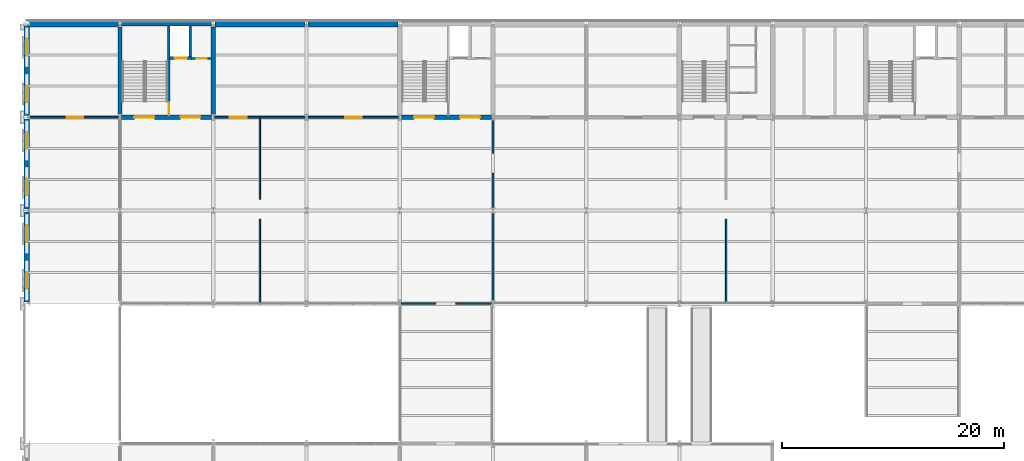
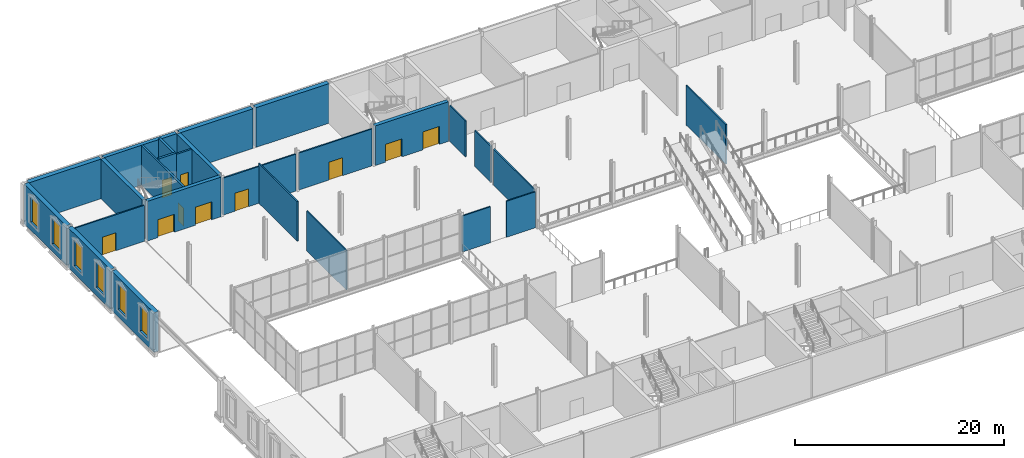
# One storey, part 37 of 61: 27 walls, 10 doors, 6 windows, 16 openings.
"""IFC4 building model written with IfcOpenShell, lengths in metres."""

from ifc_helpers import new_model, si_unit, direction, frame, frame_2d, origin, place, context, subcontext, project, spatial, rectangle, extrude, material, layer, layer_set, type_object, element, fill, save


model = new_model("IFC4")

# Units and contexts
model_context = context("Model", 3, precision=1e-05, world=origin(), true_north=direction((0.0, 1.0)))
body_context = subcontext(model_context, "Body", "Model", "MODEL_VIEW")
ifc_project = project(units=[si_unit("LENGTHUNIT", "METRE"), si_unit("AREAUNIT", "SQUARE_METRE"), si_unit("VOLUMEUNIT", "CUBIC_METRE"), si_unit("PLANEANGLEUNIT", "RADIAN"), si_unit("MASSUNIT", "GRAM", prefix="KILO")], contexts=[model_context])

# Site, building, storey
site_placement = place(None, origin())
site = spatial("IfcSite", under=ifc_project, at=site_placement, CompositionType="ELEMENT")
building_placement = place(site_placement, origin())
building = spatial("IfcBuilding", under=site, at=building_placement, Name="Galleria Vessillo Department Store", CompositionType="ELEMENT")
storey_placement = place(building_placement, frame((0.0, 0.0, 11.39990234375)))
storey = spatial("IfcBuildingStorey", under=building, at=storey_placement, Name="L02", CompositionType="ELEMENT", Elevation=11.39990234375)

# Wall, opening, door
ifc_material_1 = material(Name="Solid clay block masonry", Category="masonry")
ifc_layer_1 = layer(ifc_material_1, 0.25)
ifc_layer_set_1 = layer_set([ifc_layer_1], Name="Solid clay block masonry")
wall_type_1 = type_object("IfcWallType", Name="Lift shaft wall 250 mm", PredefinedType="SOLIDWALL", material=ifc_layer_set_1)
wall_1_placement = place(storey_placement, frame((12.89990234375, 59.925048828125, 0.0), z_axis=(0.0, 0.0, 1.0), x_axis=(1.0, 0.0, 0.0)))
wall_1 = element("IfcWall", 1, at=wall_1_placement, inside=storey, type_object=wall_type_1, Name="Lift shaft wall LP2 landing side L02", PredefinedType="SOLIDWALL", context=body_context, shape_type="SweptSolid", body=[
    extrude(rectangle(XDim=1.9501953125, YDim=0.25, at=frame_2d((0.97509765625, 0.0))), origin(), (0.0, 0.0, 1.0), 4.800048828125),
])
opening_1_placement = place(wall_1_placement, frame((0.425048828125, 0.0, 0.0)))
opening_1 = element("IfcOpeningElement", 2, at=opening_1_placement, cuts=wall_1, Name="Opening LD013", PredefinedType="OPENING", context=body_context, shape_type="SweptSolid", body=[
    extrude(rectangle(XDim=1.10009765625, YDim=2.10009765625, at=frame_2d((0.550048828125, 1.050048828125))), frame((0.0, 0.135009765625, 0.0), z_axis=(0.0, -1.0, 0.0), x_axis=(1.0, 0.0, 0.0)), (0.0, 0.0, 1.0), 0.27001953125),
])
ifc_material_2 = material(Name="Stainless steel lift door panel", Category="steel")
door_type_1 = type_object("IfcDoorType", Name="Lift landing door LD110 sliding 1100 x 2100", OperationType="SLIDING_TO_LEFT", PredefinedType="DOOR", material=ifc_material_2)
door_1_placement = place(opening_1_placement, frame((1.10009765625, 0.0, 0.0), z_axis=(0.0, 0.0, 1.0), x_axis=(-1.0, 0.0, 0.0)))
door_1 = element("IfcDoor", 3, at=door_1_placement, inside=storey, type_object=door_type_1, Name="Lift landing door LP2 L02", OperationType="SLIDING_TO_RIGHT", OverallHeight=2.10009765625, OverallWidth=1.10009765625, PredefinedType="DOOR", context=body_context, shape_type="SweptSolid", body=[
    extrude(rectangle(XDim=1.10009765625, YDim=2.10009765625, at=frame_2d((0.550048828125, 1.050048828125))), frame((0.0, 0.02490234375, 0.0), z_axis=(0.0, -1.0, 0.0), x_axis=(1.0, 0.0, 0.0)), (0.0, 0.0, 1.0), 0.050048828125),
])
fill(opening_1, door_1)

# Wall
wall_2_placement = place(storey_placement, frame((14.72509765625, 62.800048828125, 0.0), z_axis=(0.0, 0.0, 1.0), x_axis=(0.0, -1.0, 0.0)))
element("IfcWall", 4, at=wall_2_placement, inside=storey, type_object=wall_type_1, Name="Lift shaft wall LP2 L02", PredefinedType="SOLIDWALL", context=body_context, shape_type="SweptSolid", body=[
    extrude(rectangle(XDim=2.75, YDim=0.25, at=frame_2d((1.375, 0.0))), origin(), (0.0, 0.0, 1.0), 4.800048828125),
])

# Wall, openings, windows
ifc_material_3 = material(Name="Reinforced masonry, limestone units 80 MPa", Category="masonry")
ifc_layer_2 = layer(ifc_material_3, 0.5)
ifc_layer_set_2 = layer_set([ifc_layer_2], Name="Reinforced masonry, limestone units 80 MPa")
wall_type_2 = type_object("IfcWallType", Name="Load-bearing limestone-faced wall 500 mm", PredefinedType="STANDARD", material=ifc_layer_set_2)
wall_3_placement = place(storey_placement, frame((0.0, 37.949951171875, 0.0), z_axis=(0.0, 0.0, 1.0), x_axis=(0.0, 1.0, 0.0)))
wall_3 = element("IfcWall", 5, at=wall_3_placement, inside=storey, type_object=wall_type_2, Name="Load-bearing limestone-faced wall 500 mm SW-N-L02-01", PredefinedType="STANDARD", context=body_context, shape_type="SweptSolid", body=[
    extrude(rectangle(XDim=8.10009765625, YDim=0.5, at=frame_2d((4.050048828125, 0.0))), origin(), (0.0, 0.0, 1.0), 4.650146484375),
])
opening_2_placement = place(wall_3_placement, frame((1.199951171875, 0.0, 0.89990234375)))
opening_2 = element("IfcOpeningElement", 6, at=opening_2_placement, cuts=wall_3, Name="Opening W007", PredefinedType="OPENING", context=body_context, shape_type="SweptSolid", body=[
    extrude(rectangle(XDim=1.5, YDim=3.0, at=frame_2d((0.75, 1.5))), frame((0.0, 0.260009765625, 0.0), z_axis=(0.0, -1.0, 0.0), x_axis=(1.0, 0.0, 0.0)), (0.0, 0.0, 1.0), 0.52001953125),
])
opening_3_placement = place(wall_3_placement, frame((5.400146484375, 0.0, 0.89990234375)))
opening_3 = element("IfcOpeningElement", 7, at=opening_3_placement, cuts=wall_3, Name="Opening W008", PredefinedType="OPENING", context=body_context, shape_type="SweptSolid", body=[
    extrude(rectangle(XDim=1.5, YDim=3.0, at=frame_2d((0.75, 1.5))), frame((0.0, 0.260009765625, 0.0), z_axis=(0.0, -1.0, 0.0), x_axis=(1.0, 0.0, 0.0)), (0.0, 0.0, 1.0), 0.52001953125),
])
ifc_material_4 = material(Name="Aluminium frame with laminated glass 44.2", Category="aluminium")
window_type = type_object("IfcWindowType", Name="Piano nobile window 1500 x 3000", PartitioningType="SINGLE_PANEL", PredefinedType="WINDOW", material=ifc_material_4)
window_1_placement = place(opening_2_placement, origin())
window_1 = element("IfcWindow", 8, at=window_1_placement, inside=storey, type_object=window_type, Name="E-WIN-SW-N-L02-01-007", OverallHeight=3.0, OverallWidth=1.5, PartitioningType="SINGLE_PANEL", PredefinedType="WINDOW", context=body_context, shape_type="SweptSolid", body=[
    extrude(rectangle(XDim=1.5, YDim=3.0, at=frame_2d((0.75, 1.5))), frame((0.0, 0.030029296875, 0.0), z_axis=(0.0, -1.0, 0.0), x_axis=(1.0, 0.0, 0.0)), (0.0, 0.0, 1.0), 0.06005859375),
])
fill(opening_2, window_1)
window_2_placement = place(opening_3_placement, origin())
window_2 = element("IfcWindow", 9, at=window_2_placement, inside=storey, type_object=window_type, Name="E-WIN-SW-N-L02-01-008", OverallHeight=3.0, OverallWidth=1.5, PartitioningType="SINGLE_PANEL", PredefinedType="WINDOW", context=body_context, shape_type="SweptSolid", body=[
    extrude(rectangle(XDim=1.5, YDim=3.0, at=frame_2d((0.75, 1.5))), frame((0.0, 0.030029296875, 0.0), z_axis=(0.0, -1.0, 0.0), x_axis=(1.0, 0.0, 0.0)), (0.0, 0.0, 1.0), 0.06005859375),
])
fill(opening_3, window_2)

wall_4_placement = place(storey_placement, frame((0.0, 46.349853515625, 0.0), z_axis=(0.0, 0.0, 1.0), x_axis=(0.0, 1.0, 0.0)))
wall_4 = element("IfcWall", 10, at=wall_4_placement, inside=storey, type_object=wall_type_2, Name="Load-bearing limestone-faced wall 500 mm SW-N-L02-02", PredefinedType="STANDARD", context=body_context, shape_type="SweptSolid", body=[
    extrude(rectangle(XDim=8.100341796875, YDim=0.5, at=frame_2d((4.05029296875, 0.0))), origin(), (0.0, 0.0, 1.0), 4.650146484375),
])
opening_4_placement = place(wall_4_placement, frame((1.2001953125, 0.0, 0.89990234375)))
opening_4 = element("IfcOpeningElement", 11, at=opening_4_placement, cuts=wall_4, Name="Opening W009", PredefinedType="OPENING", context=body_context, shape_type="SweptSolid", body=[
    extrude(rectangle(XDim=1.5, YDim=3.0, at=frame_2d((0.75, 1.5))), frame((0.0, 0.260009765625, 0.0), z_axis=(0.0, -1.0, 0.0), x_axis=(1.0, 0.0, 0.0)), (0.0, 0.0, 1.0), 0.52001953125),
])
opening_5_placement = place(wall_4_placement, frame((5.400146484375, 0.0, 0.89990234375)))
opening_5 = element("IfcOpeningElement", 12, at=opening_5_placement, cuts=wall_4, Name="Opening W010", PredefinedType="OPENING", context=body_context, shape_type="SweptSolid", body=[
    extrude(rectangle(XDim=1.5, YDim=3.0, at=frame_2d((0.75, 1.5))), frame((0.0, 0.260009765625, 0.0), z_axis=(0.0, -1.0, 0.0), x_axis=(1.0, 0.0, 0.0)), (0.0, 0.0, 1.0), 0.52001953125),
])
window_3_placement = place(opening_4_placement, origin())
window_3 = element("IfcWindow", 13, at=window_3_placement, inside=storey, type_object=window_type, Name="E-WIN-SW-N-L02-02-009", OverallHeight=3.0, OverallWidth=1.5, PartitioningType="SINGLE_PANEL", PredefinedType="WINDOW", context=body_context, shape_type="SweptSolid", body=[
    extrude(rectangle(XDim=1.5, YDim=3.0, at=frame_2d((0.75, 1.5))), frame((0.0, 0.030029296875, 0.0), z_axis=(0.0, -1.0, 0.0), x_axis=(1.0, 0.0, 0.0)), (0.0, 0.0, 1.0), 0.06005859375),
])
fill(opening_4, window_3)
window_4_placement = place(opening_5_placement, origin())
window_4 = element("IfcWindow", 14, at=window_4_placement, inside=storey, type_object=window_type, Name="E-WIN-SW-N-L02-02-010", OverallHeight=3.0, OverallWidth=1.5, PartitioningType="SINGLE_PANEL", PredefinedType="WINDOW", context=body_context, shape_type="SweptSolid", body=[
    extrude(rectangle(XDim=1.5, YDim=3.0, at=frame_2d((0.75, 1.5))), frame((0.0, 0.030029296875, 0.0), z_axis=(0.0, -1.0, 0.0), x_axis=(1.0, 0.0, 0.0)), (0.0, 0.0, 1.0), 0.06005859375),
])
fill(opening_5, window_4)

wall_5_placement = place(storey_placement, frame((0.0, 54.75, 0.0), z_axis=(0.0, 0.0, 1.0), x_axis=(0.0, 1.0, 0.0)))
wall_5 = element("IfcWall", 15, at=wall_5_placement, inside=storey, type_object=wall_type_2, Name="Load-bearing limestone-faced wall 500 mm SW-N-L02-03", PredefinedType="STANDARD", context=body_context, shape_type="SweptSolid", body=[
    extrude(rectangle(XDim=8.10009765625, YDim=0.5, at=frame_2d((4.050048828125, 0.0))), origin(), (0.0, 0.0, 1.0), 4.650146484375),
])
opening_6_placement = place(wall_5_placement, frame((1.199951171875, 0.0, 0.89990234375)))
opening_6 = element("IfcOpeningElement", 16, at=opening_6_placement, cuts=wall_5, Name="Opening W011", PredefinedType="OPENING", context=body_context, shape_type="SweptSolid", body=[
    extrude(rectangle(XDim=1.5, YDim=3.0, at=frame_2d((0.75, 1.5))), frame((0.0, 0.260009765625, 0.0), z_axis=(0.0, -1.0, 0.0), x_axis=(1.0, 0.0, 0.0)), (0.0, 0.0, 1.0), 0.52001953125),
])
opening_7_placement = place(wall_5_placement, frame((5.39990234375, 0.0, 0.89990234375)))
opening_7 = element("IfcOpeningElement", 17, at=opening_7_placement, cuts=wall_5, Name="Opening W012", PredefinedType="OPENING", context=body_context, shape_type="SweptSolid", body=[
    extrude(rectangle(XDim=1.5, YDim=3.0, at=frame_2d((0.75, 1.5))), frame((0.0, 0.260009765625, 0.0), z_axis=(0.0, -1.0, 0.0), x_axis=(1.0, 0.0, 0.0)), (0.0, 0.0, 1.0), 0.52001953125),
])
window_5_placement = place(opening_6_placement, origin())
window_5 = element("IfcWindow", 18, at=window_5_placement, inside=storey, type_object=window_type, Name="E-WIN-SW-N-L02-03-011", OverallHeight=3.0, OverallWidth=1.5, PartitioningType="SINGLE_PANEL", PredefinedType="WINDOW", context=body_context, shape_type="SweptSolid", body=[
    extrude(rectangle(XDim=1.5, YDim=3.0, at=frame_2d((0.75, 1.5))), frame((0.0, 0.030029296875, 0.0), z_axis=(0.0, -1.0, 0.0), x_axis=(1.0, 0.0, 0.0)), (0.0, 0.0, 1.0), 0.06005859375),
])
fill(opening_6, window_5)
window_6_placement = place(opening_7_placement, origin())
window_6 = element("IfcWindow", 19, at=window_6_placement, inside=storey, type_object=window_type, Name="E-WIN-SW-N-L02-03-012", OverallHeight=3.0, OverallWidth=1.5, PartitioningType="SINGLE_PANEL", PredefinedType="WINDOW", context=body_context, shape_type="SweptSolid", body=[
    extrude(rectangle(XDim=1.5, YDim=3.0, at=frame_2d((0.75, 1.5))), frame((0.0, 0.030029296875, 0.0), z_axis=(0.0, -1.0, 0.0), x_axis=(1.0, 0.0, 0.0)), (0.0, 0.0, 1.0), 0.06005859375),
])
fill(opening_7, window_6)

# Wall, openings, doors
ifc_material_5 = material(Name="Concrete C32/40 reinforced", Category="concrete")
ifc_layer_3 = layer(ifc_material_5, 0.39990234375)
ifc_layer_set_3 = layer_set([ifc_layer_3], Name="Concrete C32/40 reinforced")
wall_type_3 = type_object("IfcWallType", Name="Reinforced concrete core wall 400 mm", PredefinedType="SHEAR", material=ifc_layer_set_3)
wall_6_placement = place(storey_placement, frame((8.5498046875, 54.60009765625, 0.0), z_axis=(0.0, 0.0, 1.0), x_axis=(1.0, 0.0, 0.0)))
wall_6 = element("IfcWall", 20, at=wall_6_placement, inside=storey, type_object=wall_type_3, Name="S-CW-PC-NW-INTERIOR-L02", PredefinedType="SHEAR", context=body_context, shape_type="SweptSolid", body=[
    extrude(rectangle(XDim=8.100341796875, YDim=0.39990234375, at=frame_2d((4.05029296875, 0.0))), origin(), (0.0, 0.0, 1.0), 4.650146484375),
])
opening_8_placement = place(wall_6_placement, frame((1.150146484375, 0.0, 0.0)))
opening_8 = element("IfcOpeningElement", 21, at=opening_8_placement, cuts=wall_6, Name="Opening D5051", PredefinedType="OPENING", context=body_context, shape_type="SweptSolid", body=[
    extrude(rectangle(XDim=1.800048828125, YDim=2.10009765625, at=frame_2d((0.89990234375, 1.050048828125))), frame((0.0, 0.2099609375, 0.0), z_axis=(0.0, -1.0, 0.0), x_axis=(1.0, 0.0, 0.0)), (0.0, 0.0, 1.0), 0.419921875),
])
opening_9_placement = place(wall_6_placement, frame((5.300048828125, 0.0, 0.0)))
opening_9 = element("IfcOpeningElement", 22, at=opening_9_placement, cuts=wall_6, Name="Opening D5052", PredefinedType="OPENING", context=body_context, shape_type="SweptSolid", body=[
    extrude(rectangle(XDim=1.800048828125, YDim=2.10009765625, at=frame_2d((0.89990234375, 1.050048828125))), frame((0.0, 0.2099609375, 0.0), z_axis=(0.0, -1.0, 0.0), x_axis=(1.0, 0.0, 0.0)), (0.0, 0.0, 1.0), 0.419921875),
])
ifc_material_6 = material(Name="Fire-rated steel door leaf", Category="steel")
door_type_2 = type_object("IfcDoorType", Name="Door D180F double leaf 1800 x 2100", OperationType="DOUBLE_DOOR_SINGLE_SWING", PredefinedType="DOOR", material=ifc_material_6)
door_2_placement = place(opening_8_placement, origin())
door_2 = element("IfcDoor", 23, at=door_2_placement, inside=storey, type_object=door_type_2, Name="Lobby door PC-NW-ST-FLOOR L02", OperationType="DOUBLE_DOOR_SINGLE_SWING", OverallHeight=2.10009765625, OverallWidth=1.800048828125, PredefinedType="DOOR", context=body_context, shape_type="SweptSolid", body=[
    extrude(rectangle(XDim=1.800048828125, YDim=2.10009765625, at=frame_2d((0.89990234375, 1.050048828125))), frame((0.0, 0.02490234375, 0.0), z_axis=(0.0, -1.0, 0.0), x_axis=(1.0, 0.0, 0.0)), (0.0, 0.0, 1.0), 0.050048828125),
])
fill(opening_8, door_2)
door_3_placement = place(opening_9_placement, origin())
door_3 = element("IfcDoor", 24, at=door_3_placement, inside=storey, type_object=door_type_2, Name="Lobby door PC-NW-LOBBY-FLOOR L02", OperationType="DOUBLE_DOOR_SINGLE_SWING", OverallHeight=2.10009765625, OverallWidth=1.800048828125, PredefinedType="DOOR", context=body_context, shape_type="SweptSolid", body=[
    extrude(rectangle(XDim=1.800048828125, YDim=2.10009765625, at=frame_2d((0.89990234375, 1.050048828125))), frame((0.0, 0.02490234375, 0.0), z_axis=(0.0, -1.0, 0.0), x_axis=(1.0, 0.0, 0.0)), (0.0, 0.0, 1.0), 0.050048828125),
])
fill(opening_9, door_3)

# Wall
wall_7_placement = place(storey_placement, frame((16.800048828125, 54.85009765625, 0.0), z_axis=(0.0, 0.0, 1.0), x_axis=(0.0, 1.0, 0.0)))
element("IfcWall", 25, at=wall_7_placement, inside=storey, type_object=wall_type_3, Name="S-CW-PC-NW-EAST-L02", PredefinedType="SHEAR", context=body_context, shape_type="SweptSolid", body=[
    extrude(rectangle(XDim=7.89990234375, YDim=0.39990234375, at=frame_2d((3.949951171875, 0.0))), origin(), (0.0, 0.0, 1.0), 4.650146484375),
])

# Wall, openings, doors
wall_8_placement = place(storey_placement, frame((33.75, 54.60009765625, 0.0), z_axis=(0.0, 0.0, 1.0), x_axis=(1.0, 0.0, 0.0)))
wall_8 = element("IfcWall", 26, at=wall_8_placement, inside=storey, type_object=wall_type_3, Name="S-CW-PC-NM-INTERIOR-L02", PredefinedType="SHEAR", context=body_context, shape_type="SweptSolid", body=[
    extrude(rectangle(XDim=8.10009765625, YDim=0.39990234375, at=frame_2d((4.050048828125, 0.0))), origin(), (0.0, 0.0, 1.0), 4.650146484375),
])
opening_10_placement = place(wall_8_placement, frame((1.14990234375, 0.0, 0.0)))
opening_10 = element("IfcOpeningElement", 27, at=opening_10_placement, cuts=wall_8, Name="Opening D5113", PredefinedType="OPENING", context=body_context, shape_type="SweptSolid", body=[
    extrude(rectangle(XDim=1.800048828125, YDim=2.10009765625, at=frame_2d((0.89990234375, 1.050048828125))), frame((0.0, 0.2099609375, 0.0), z_axis=(0.0, -1.0, 0.0), x_axis=(1.0, 0.0, 0.0)), (0.0, 0.0, 1.0), 0.419921875),
])
opening_11_placement = place(wall_8_placement, frame((5.2998046875, 0.0, 0.0)))
opening_11 = element("IfcOpeningElement", 28, at=opening_11_placement, cuts=wall_8, Name="Opening D5114", PredefinedType="OPENING", context=body_context, shape_type="SweptSolid", body=[
    extrude(rectangle(XDim=1.800048828125, YDim=2.10009765625, at=frame_2d((0.89990234375, 1.050048828125))), frame((0.0, 0.2099609375, 0.0), z_axis=(0.0, -1.0, 0.0), x_axis=(1.0, 0.0, 0.0)), (0.0, 0.0, 1.0), 0.419921875),
])
door_4_placement = place(opening_10_placement, origin())
door_4 = element("IfcDoor", 29, at=door_4_placement, inside=storey, type_object=door_type_2, Name="Lobby door PC-NM-ST-FLOOR L02", OperationType="DOUBLE_DOOR_SINGLE_SWING", OverallHeight=2.10009765625, OverallWidth=1.800048828125, PredefinedType="DOOR", context=body_context, shape_type="SweptSolid", body=[
    extrude(rectangle(XDim=1.800048828125, YDim=2.10009765625, at=frame_2d((0.89990234375, 1.050048828125))), frame((0.0, 0.02490234375, 0.0), z_axis=(0.0, -1.0, 0.0), x_axis=(1.0, 0.0, 0.0)), (0.0, 0.0, 1.0), 0.050048828125),
])
fill(opening_10, door_4)
door_5_placement = place(opening_11_placement, origin())
door_5 = element("IfcDoor", 30, at=door_5_placement, inside=storey, type_object=door_type_2, Name="Lobby door PC-NM-LOBBY-FLOOR L02", OperationType="DOUBLE_DOOR_SINGLE_SWING", OverallHeight=2.10009765625, OverallWidth=1.800048828125, PredefinedType="DOOR", context=body_context, shape_type="SweptSolid", body=[
    extrude(rectangle(XDim=1.800048828125, YDim=2.10009765625, at=frame_2d((0.89990234375, 1.050048828125))), frame((0.0, 0.02490234375, 0.0), z_axis=(0.0, -1.0, 0.0), x_axis=(1.0, 0.0, 0.0)), (0.0, 0.0, 1.0), 0.050048828125),
])
fill(opening_11, door_5)

# Walls
ifc_material_7 = material(Name="Concrete C32/40 reinforced", Category="concrete")
ifc_layer_4 = layer(ifc_material_7, 0.39990234375)
ifc_layer_set_4 = layer_set([ifc_layer_4], Name="Concrete C32/40 reinforced")
wall_type_4 = type_object("IfcWallType", Name="Reinforced concrete core wall 400 mm, external", PredefinedType="SHEAR", material=ifc_layer_set_4)
wall_9_placement = place(storey_placement, frame((8.5498046875, 63.0, 0.0), z_axis=(0.0, 0.0, 1.0), x_axis=(1.0, 0.0, 0.0)))
element("IfcWall", 31, at=wall_9_placement, inside=storey, type_object=wall_type_4, Name="S-CW-PC-NW-PARTY-L02", PredefinedType="SHEAR", context=body_context, shape_type="SweptSolid", body=[
    extrude(rectangle(XDim=8.100341796875, YDim=0.39990234375, at=frame_2d((4.05029296875, 0.0))), origin(), (0.0, 0.0, 1.0), 4.650146484375),
])
wall_10_placement = place(storey_placement, frame((8.39990234375, 54.85009765625, 0.0), z_axis=(0.0, 0.0, 1.0), x_axis=(0.0, 1.0, 0.0)))
element("IfcWall", 32, at=wall_10_placement, inside=storey, type_object=wall_type_4, Name="S-CW-PC-NW-WEST-L02", PredefinedType="SHEAR", context=body_context, shape_type="SweptSolid", body=[
    extrude(rectangle(XDim=7.89990234375, YDim=0.39990234375, at=frame_2d((3.949951171875, 0.0))), origin(), (0.0, 0.0, 1.0), 4.650146484375),
])
ifc_material_8 = material(Name="Concrete C32/40 reinforced", Category="concrete")
ifc_layer_5 = layer(ifc_material_8, 0.5)
ifc_layer_set_5 = layer_set([ifc_layer_5], Name="Concrete C32/40 reinforced")
wall_type_5 = type_object("IfcWallType", Name="Reinforced concrete party wall 500 mm", PredefinedType="SHEAR", material=ifc_layer_set_5)
wall_11_placement = place(storey_placement, frame((0.25, 63.0, 0.0), z_axis=(0.0, 0.0, 1.0), x_axis=(1.0, 0.0, 0.0)))
element("IfcWall", 33, at=wall_11_placement, inside=storey, type_object=wall_type_5, Name="S-PN-L02-01", PredefinedType="SHEAR", context=body_context, shape_type="SweptSolid", body=[
    extrude(rectangle(XDim=8.0, YDim=0.5, at=frame_2d((4.0, 0.0))), origin(), (0.0, 0.0, 1.0), 4.650146484375),
])
wall_12_placement = place(storey_placement, frame((16.949951171875, 63.0, 0.0), z_axis=(0.0, 0.0, 1.0), x_axis=(1.0, 0.0, 0.0)))
element("IfcWall", 34, at=wall_12_placement, inside=storey, type_object=wall_type_5, Name="S-PN-L02-02", PredefinedType="SHEAR", context=body_context, shape_type="SweptSolid", body=[
    extrude(rectangle(XDim=8.10009765625, YDim=0.5, at=frame_2d((4.050048828125, 0.0))), origin(), (0.0, 0.0, 1.0), 4.650146484375),
])
wall_13_placement = place(storey_placement, frame((25.349853515625, 63.0, 0.0), z_axis=(0.0, 0.0, 1.0), x_axis=(1.0, 0.0, 0.0)))
element("IfcWall", 35, at=wall_13_placement, inside=storey, type_object=wall_type_5, Name="S-PN-L02-03", PredefinedType="SHEAR", context=body_context, shape_type="SweptSolid", body=[
    extrude(rectangle(XDim=8.100341796875, YDim=0.5, at=frame_2d((4.05029296875, 0.0))), origin(), (0.0, 0.0, 1.0), 4.650146484375),
])

# Wall, opening, door
ifc_material_9 = material(Name="Concrete C32/40 reinforced", Category="concrete")
ifc_layer_6 = layer(ifc_material_9, 0.199951171875)
ifc_layer_set_6 = layer_set([ifc_layer_6], Name="Concrete C32/40 reinforced")
wall_type_6 = type_object("IfcWallType", Name="Reinforced concrete stair enclosure wall 200 mm", PredefinedType="SHEAR", material=ifc_layer_set_6)
wall_14_placement = place(storey_placement, frame((12.7998046875, 62.800048828125, 0.0), z_axis=(0.0, 0.0, 1.0), x_axis=(0.0, -1.0, 0.0)))
wall_14 = element("IfcWall", 36, at=wall_14_placement, inside=storey, type_object=wall_type_6, Name="Stair enclosure wall PC-NW L02", PredefinedType="SHEAR", context=body_context, shape_type="SweptSolid", body=[
    extrude(rectangle(XDim=8.0, YDim=0.199951171875, at=frame_2d((4.0, 0.0))), origin(), (0.0, 0.0, 1.0), 4.650146484375),
])
opening_12_placement = place(wall_14_placement, frame((6.89990234375, 0.0, 0.0)))
opening_12 = element("IfcOpeningElement", 37, at=opening_12_placement, cuts=wall_14, Name="Opening D5049", PredefinedType="OPENING", context=body_context, shape_type="SweptSolid", body=[
    extrude(rectangle(XDim=1.11009765625, YDim=2.10009765625, at=frame_2d((0.554931640625, 1.050048828125))), frame((0.0, 0.10986328125, 0.0), z_axis=(0.0, -1.0, 0.0), x_axis=(1.0, 0.0, 0.0)), (0.0, 0.0, 1.0), 0.219970703125),
])
ifc_material_10 = material(Name="Fire-rated steel door leaf", Category="steel")
door_type_3 = type_object("IfcDoorType", Name="Door D110F stair door 1100 x 2100", OperationType="SINGLE_SWING_LEFT", PredefinedType="DOOR", material=ifc_material_10)
door_6_placement = place(opening_12_placement, frame((1.10009765625, 0.0, 0.0), z_axis=(0.0, 0.0, 1.0), x_axis=(-1.0, 0.0, 0.0)))
door_6 = element("IfcDoor", 38, at=door_6_placement, inside=storey, type_object=door_type_3, Name="Stair door PC-NW-ST-LOBBY L02", OperationType="SINGLE_SWING_LEFT", OverallHeight=2.10009765625, OverallWidth=1.10009765625, PredefinedType="DOOR", context=body_context, shape_type="SweptSolid", body=[
    extrude(rectangle(XDim=1.10009765625, YDim=2.10009765625, at=frame_2d((0.550048828125, 1.050048828125))), frame((0.0, 0.02490234375, 0.0), z_axis=(0.0, -1.0, 0.0), x_axis=(1.0, 0.0, 0.0)), (0.0, 0.0, 1.0), 0.050048828125),
])
fill(opening_12, door_6)

ifc_material_11 = material(Name="Hollow clay block masonry", Category="masonry")
ifc_layer_7 = layer(ifc_material_11, 0.199951171875)
ifc_layer_set_7 = layer_set([ifc_layer_7], Name="Hollow clay block masonry")
wall_type_7 = type_object("IfcWallType", Name="Riser and service room wall 200 mm", PredefinedType="PARTITIONING", material=ifc_layer_set_7)
wall_15_placement = place(storey_placement, frame((14.85009765625, 59.900146484375, 0.0), z_axis=(0.0, 0.0, 1.0), x_axis=(1.0, 0.0, 0.0)))
wall_15 = element("IfcWall", 39, at=wall_15_placement, inside=storey, type_object=wall_type_7, Name="Riser wall PC-NW-RISER L02", PredefinedType="PARTITIONING", context=body_context, shape_type="SweptSolid", body=[
    extrude(rectangle(XDim=1.75, YDim=0.199951171875, at=frame_2d((0.875, 0.0))), origin(), (0.0, 0.0, 1.0), 4.650146484375),
])
opening_13_placement = place(wall_15_placement, frame((0.449951171875, 0.0, 0.0)))
opening_13 = element("IfcOpeningElement", 40, at=opening_13_placement, cuts=wall_15, Name="Opening D5050", PredefinedType="OPENING", context=body_context, shape_type="SweptSolid", body=[
    extrude(rectangle(XDim=0.89990234375, YDim=2.10009765625, at=frame_2d((0.449951171875, 1.050048828125))), frame((0.0, 0.10986328125, 0.0), z_axis=(0.0, -1.0, 0.0), x_axis=(1.0, 0.0, 0.0)), (0.0, 0.0, 1.0), 0.219970703125),
])
ifc_material_12 = material(Name="Fire-rated steel door leaf", Category="steel")
door_type_4 = type_object("IfcDoorType", Name="Door DR90 riser access 900 x 2100", OperationType="SINGLE_SWING_LEFT", PredefinedType="DOOR", material=ifc_material_12)
door_7_placement = place(opening_13_placement, origin())
door_7 = element("IfcDoor", 41, at=door_7_placement, inside=storey, type_object=door_type_4, Name="Riser door PC-NW-RISER-D L02", OperationType="SINGLE_SWING_RIGHT", OverallHeight=2.10009765625, OverallWidth=0.89990234375, PredefinedType="DOOR", context=body_context, shape_type="SweptSolid", body=[
    extrude(rectangle(XDim=0.89990234375, YDim=2.10009765625, at=frame_2d((0.449951171875, 1.050048828125))), frame((0.0, 0.02490234375, 0.0), z_axis=(0.0, -1.0, 0.0), x_axis=(1.0, 0.0, 0.0)), (0.0, 0.0, 1.0), 0.050048828125),
])
fill(opening_13, door_7)

# Walls
ifc_material_13 = material(Name="Gypsum board partition")
ifc_layer_8 = layer(ifc_material_13, 0.139892578125)
ifc_layer_set_8 = layer_set([ifc_layer_8], Name="Gypsum board partition")
wall_type_8 = type_object("IfcWallType", Name="Sales dividing wall 140 mm", PredefinedType="PARTITIONING", material=ifc_layer_set_8)
wall_16_placement = place(storey_placement, frame((21.0, 37.800048828125, 0.0), z_axis=(0.0, 0.0, 1.0), x_axis=(0.0, 1.0, 0.0)))
element("IfcWall", 42, at=wall_16_placement, inside=storey, type_object=wall_type_8, Name="Partition wall PT3 on L02 no. 059", PredefinedType="PARTITIONING", context=body_context, shape_type="SweptSolid", body=[
    extrude(rectangle(XDim=7.60009765625, YDim=0.139892578125, at=frame_2d((3.800048828125, 0.0))), origin(), (0.0, 0.0, 1.0), 4.650146484375),
])
wall_17_placement = place(storey_placement, frame((21.0, 47.199951171875, 0.0), z_axis=(0.0, 0.0, 1.0), x_axis=(0.0, 1.0, 0.0)))
element("IfcWall", 43, at=wall_17_placement, inside=storey, type_object=wall_type_8, Name="Partition wall PT3 on L02 no. 060", PredefinedType="PARTITIONING", context=body_context, shape_type="SweptSolid", body=[
    extrude(rectangle(XDim=7.400146484375, YDim=0.139892578125, at=frame_2d((3.7001953125, 0.0))), origin(), (0.0, 0.0, 1.0), 4.650146484375),
])
wall_18_placement = place(storey_placement, frame((42.0, 38.110107421875, 0.0), z_axis=(0.0, 0.0, 1.0), x_axis=(0.0, 1.0, 0.0)))
element("IfcWall", 44, at=wall_18_placement, inside=storey, type_object=wall_type_8, Name="Partition wall PT3 on L02 no. 061", PredefinedType="PARTITIONING", context=body_context, shape_type="SweptSolid", body=[
    extrude(rectangle(XDim=7.83984375, YDim=0.139892578125, at=frame_2d((3.919921875, 0.0))), origin(), (0.0, 0.0, 1.0), 4.210205078125),
])
wall_19_placement = place(storey_placement, frame((42.0, 46.449951171875, 0.0), z_axis=(0.0, 0.0, 1.0), x_axis=(0.0, 1.0, 0.0)))
element("IfcWall", 45, at=wall_19_placement, inside=storey, type_object=wall_type_8, Name="Partition wall PT3 on L02 no. 062", PredefinedType="PARTITIONING", context=body_context, shape_type="SweptSolid", body=[
    extrude(rectangle(XDim=3.10009765625, YDim=0.139892578125, at=frame_2d((1.550048828125, 0.0))), origin(), (0.0, 0.0, 1.0), 4.210205078125),
])
wall_20_placement = place(storey_placement, frame((42.0, 51.349853515625, 0.0), z_axis=(0.0, 0.0, 1.0), x_axis=(0.0, 1.0, 0.0)))
element("IfcWall", 46, at=wall_20_placement, inside=storey, type_object=wall_type_8, Name="Partition wall PT3 on L02 no. 063", PredefinedType="PARTITIONING", context=body_context, shape_type="SweptSolid", body=[
    extrude(rectangle(XDim=3.000244140625, YDim=0.139892578125, at=frame_2d((1.5, 0.0))), origin(), (0.0, 0.0, 1.0), 4.210205078125),
])
wall_21_placement = place(storey_placement, frame((33.752685546875, 37.800048828125, 0.0), z_axis=(0.0, 0.0, 1.0), x_axis=(1.0, 0.0, 0.0)))
element("IfcWall", 47, at=wall_21_placement, inside=storey, type_object=wall_type_8, Name="Partition wall PT3 on L02 no. 064", PredefinedType="PARTITIONING", context=body_context, shape_type="SweptSolid", body=[
    extrude(rectangle(XDim=3.099853515625, YDim=0.139892578125, at=frame_2d((1.5498046875, 0.0))), origin(), (0.0, 0.0, 1.0), 4.210205078125),
])
wall_22_placement = place(storey_placement, frame((38.652587890625, 37.800048828125, 0.0), z_axis=(0.0, 0.0, 1.0), x_axis=(1.0, 0.0, 0.0)))
element("IfcWall", 48, at=wall_22_placement, inside=storey, type_object=wall_type_8, Name="Partition wall PT3 on L02 no. 065", PredefinedType="PARTITIONING", context=body_context, shape_type="SweptSolid", body=[
    extrude(rectangle(XDim=3.19482421875, YDim=0.139892578125, at=frame_2d((1.597412109375, 0.0))), origin(), (0.0, 0.0, 1.0), 4.210205078125),
])
wall_23_placement = place(storey_placement, frame((63.0, 37.800048828125, 0.0), z_axis=(0.0, 0.0, 1.0), x_axis=(0.0, 1.0, 0.0)))
element("IfcWall", 49, at=wall_23_placement, inside=storey, type_object=wall_type_8, Name="Partition wall PT3 on L02 no. 066", PredefinedType="PARTITIONING", context=body_context, shape_type="SweptSolid", body=[
    extrude(rectangle(XDim=7.60009765625, YDim=0.139892578125, at=frame_2d((3.800048828125, 0.0))), origin(), (0.0, 0.0, 1.0), 4.650146484375),
])

# Wall, opening, door
ifc_material_14 = material(Name="Concrete blockwork", Category="masonry")
ifc_layer_9 = layer(ifc_material_14, 0.14990234375)
ifc_layer_set_9 = layer_set([ifc_layer_9], Name="Concrete blockwork")
wall_type_9 = type_object("IfcWallType", Name="Stockroom blockwork wall 150 mm", PredefinedType="SOLIDWALL", material=ifc_layer_set_9)
wall_24_placement = place(storey_placement, frame((16.949951171875, 54.60009765625, 0.0), z_axis=(0.0, 0.0, 1.0), x_axis=(1.0, 0.0, 0.0)))
wall_24 = element("IfcWall", 50, at=wall_24_placement, inside=storey, type_object=wall_type_9, Name="Partition wall PT4 on L02 no. 025", PredefinedType="SOLIDWALL", context=body_context, shape_type="SweptSolid", body=[
    extrude(rectangle(XDim=4.050048828125, YDim=0.14990234375, at=frame_2d((2.02490234375, 0.0))), origin(), (0.0, 0.0, 1.0), 4.320068359375),
])
opening_14_placement = place(wall_24_placement, frame((1.35009765625, 0.0, 0.0)))
opening_14 = element("IfcOpeningElement", 51, at=opening_14_placement, cuts=wall_24, Name="Opening D2415", PredefinedType="OPENING", context=body_context, shape_type="SweptSolid", body=[
    extrude(rectangle(XDim=1.5, YDim=2.10009765625, at=frame_2d((0.75, 1.050048828125))), frame((0.0, 0.0849609375, 0.0), z_axis=(0.0, -1.0, 0.0), x_axis=(1.0, 0.0, 0.0)), (0.0, 0.0, 1.0), 0.169921875),
])
ifc_material_15 = material(Name="Steel fire door leaf", Category="steel")
door_type_5 = type_object("IfcDoorType", Name="Stockroom fire door 1500 double leaf", OperationType="DOUBLE_DOOR_SINGLE_SWING", PredefinedType="DOOR", material=ifc_material_15)
door_8_placement = place(opening_14_placement, origin())
door_8 = element("IfcDoor", 52, at=door_8_placement, inside=storey, type_object=door_type_5, Name="Door D2415", OperationType="DOUBLE_DOOR_SINGLE_SWING", OverallHeight=2.10009765625, OverallWidth=1.5, PredefinedType="DOOR", context=body_context, shape_type="SweptSolid", body=[
    extrude(rectangle(XDim=1.5, YDim=2.10009765625, at=frame_2d((0.75, 1.050048828125))), frame((0.0, 0.02490234375, 0.0), z_axis=(0.0, -1.0, 0.0), x_axis=(1.0, 0.0, 0.0)), (0.0, 0.0, 1.0), 0.050048828125),
])
fill(opening_14, door_8)

# Wall
wall_25_placement = place(storey_placement, frame((21.0, 54.60009765625, 0.0), z_axis=(0.0, 0.0, 1.0), x_axis=(1.0, 0.0, 0.0)))
element("IfcWall", 53, at=wall_25_placement, inside=storey, type_object=wall_type_9, Name="Partition wall PT4 on L02 no. 026", PredefinedType="SOLIDWALL", context=body_context, shape_type="SweptSolid", body=[
    extrude(rectangle(XDim=4.050048828125, YDim=0.14990234375, at=frame_2d((2.02490234375, 0.0))), origin(), (0.0, 0.0, 1.0), 4.320068359375),
])

# Wall, opening, door
wall_26_placement = place(storey_placement, frame((25.349853515625, 54.60009765625, 0.0), z_axis=(0.0, 0.0, 1.0), x_axis=(1.0, 0.0, 0.0)))
wall_26 = element("IfcWall", 54, at=wall_26_placement, inside=storey, type_object=wall_type_9, Name="Partition wall PT4 on L02 no. 027", PredefinedType="SOLIDWALL", context=body_context, shape_type="SweptSolid", body=[
    extrude(rectangle(XDim=8.100341796875, YDim=0.14990234375, at=frame_2d((4.05029296875, 0.0))), origin(), (0.0, 0.0, 1.0), 4.320068359375),
])
opening_15_placement = place(wall_26_placement, frame((3.35009765625, 0.0, 0.0)))
opening_15 = element("IfcOpeningElement", 55, at=opening_15_placement, cuts=wall_26, Name="Opening D2416", PredefinedType="OPENING", context=body_context, shape_type="SweptSolid", body=[
    extrude(rectangle(XDim=1.5, YDim=2.10009765625, at=frame_2d((0.75, 1.050048828125))), frame((0.0, 0.0849609375, 0.0), z_axis=(0.0, -1.0, 0.0), x_axis=(1.0, 0.0, 0.0)), (0.0, 0.0, 1.0), 0.169921875),
])
door_9_placement = place(opening_15_placement, origin())
door_9 = element("IfcDoor", 56, at=door_9_placement, inside=storey, type_object=door_type_5, Name="Door D2416", OperationType="DOUBLE_DOOR_SINGLE_SWING", OverallHeight=2.10009765625, OverallWidth=1.5, PredefinedType="DOOR", context=body_context, shape_type="SweptSolid", body=[
    extrude(rectangle(XDim=1.5, YDim=2.10009765625, at=frame_2d((0.75, 1.050048828125))), frame((0.0, 0.02490234375, 0.0), z_axis=(0.0, -1.0, 0.0), x_axis=(1.0, 0.0, 0.0)), (0.0, 0.0, 1.0), 0.050048828125),
])
fill(opening_15, door_9)

wall_27_placement = place(storey_placement, frame((0.25, 54.60009765625, 0.0), z_axis=(0.0, 0.0, 1.0), x_axis=(1.0, 0.0, 0.0)))
wall_27 = element("IfcWall", 57, at=wall_27_placement, inside=storey, type_object=wall_type_9, Name="Partition wall PT4 on L02 no. 036", PredefinedType="SOLIDWALL", context=body_context, shape_type="SweptSolid", body=[
    extrude(rectangle(XDim=8.0, YDim=0.14990234375, at=frame_2d((4.0, 0.0))), origin(), (0.0, 0.0, 1.0), 4.210205078125),
])
opening_16_placement = place(wall_27_placement, frame((3.35009765625, 0.0, 0.0)))
opening_16 = element("IfcOpeningElement", 58, at=opening_16_placement, cuts=wall_27, Name="Opening D2422", PredefinedType="OPENING", context=body_context, shape_type="SweptSolid", body=[
    extrude(rectangle(XDim=1.5, YDim=2.10009765625, at=frame_2d((0.75, 1.050048828125))), frame((0.0, 0.0849609375, 0.0), z_axis=(0.0, -1.0, 0.0), x_axis=(1.0, 0.0, 0.0)), (0.0, 0.0, 1.0), 0.169921875),
])
door_10_placement = place(opening_16_placement, origin())
door_10 = element("IfcDoor", 59, at=door_10_placement, inside=storey, type_object=door_type_5, Name="Door D2422", OperationType="DOUBLE_DOOR_SINGLE_SWING", OverallHeight=2.10009765625, OverallWidth=1.5, PredefinedType="DOOR", context=body_context, shape_type="SweptSolid", body=[
    extrude(rectangle(XDim=1.5, YDim=2.10009765625, at=frame_2d((0.75, 1.050048828125))), frame((0.0, 0.02490234375, 0.0), z_axis=(0.0, -1.0, 0.0), x_axis=(1.0, 0.0, 0.0)), (0.0, 0.0, 1.0), 0.050048828125),
])
fill(opening_16, door_10)

save(model, "model.ifc")
